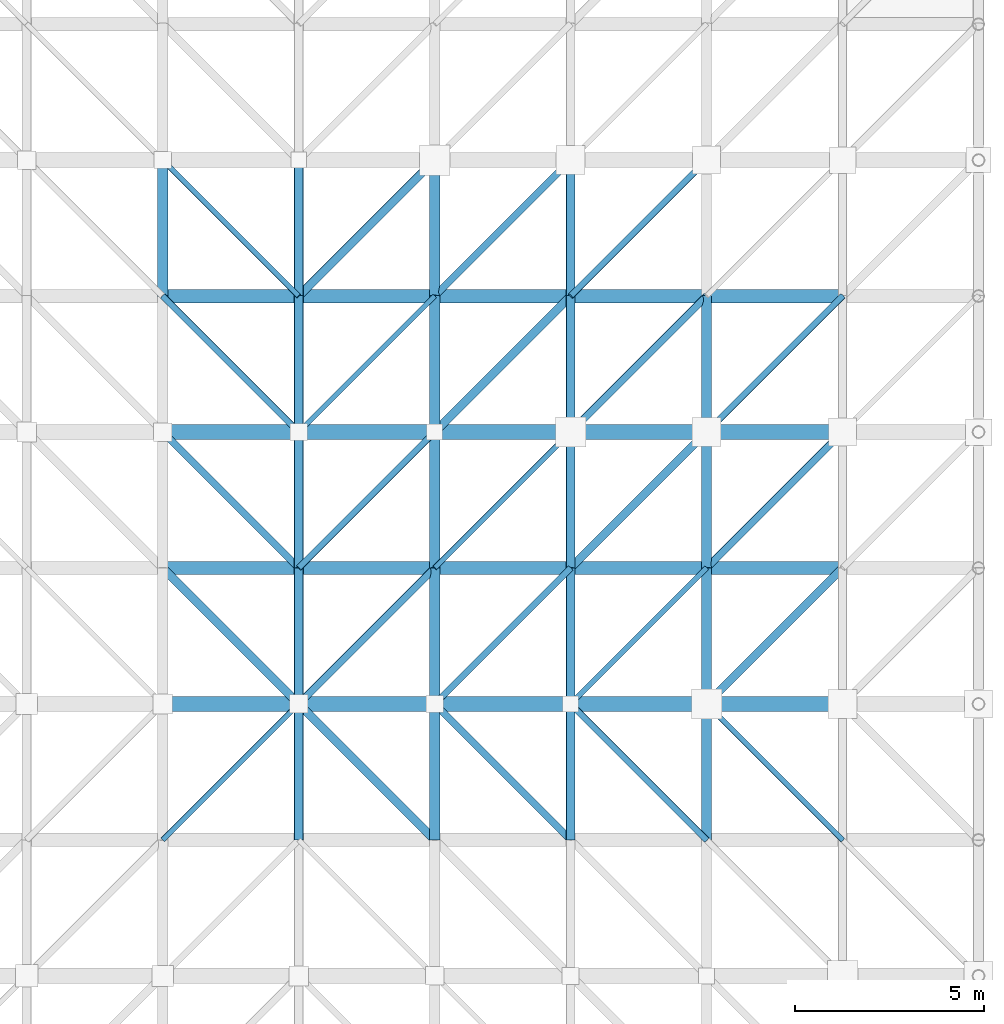
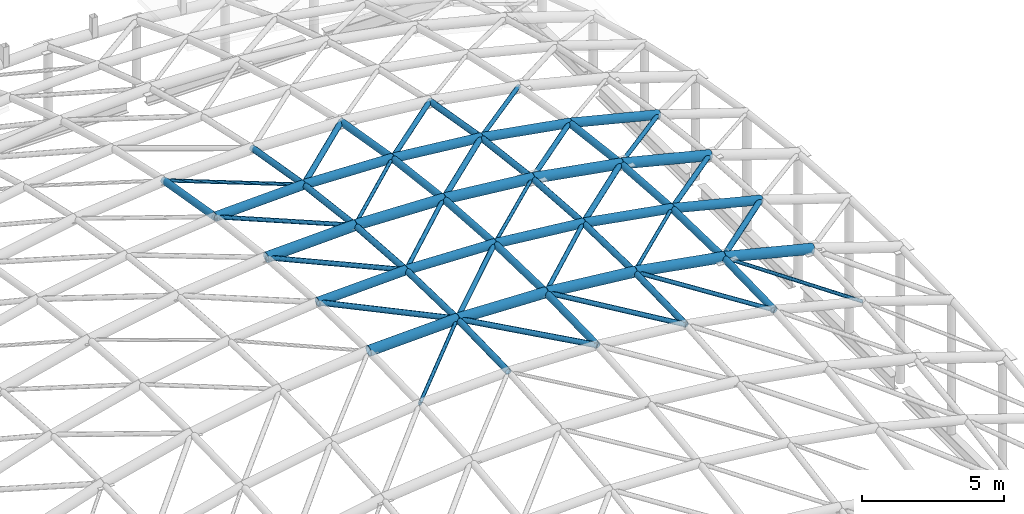
# One storey, part 7 of 40: 64 members.
"""IFC4 building model written with IfcOpenShell, lengths in metres."""

from ifc_helpers import new_model, si_unit, direction, frame, origin, origin_2d, place, context, subcontext, project, spatial, hollow_circle, extrude, material, material_profile, profile_set, type_object, element, save


model = new_model("IFC4")

# Units and contexts
model_context = context("Model", 3, precision=1e-05, world=origin(), true_north=direction((0.0, 1.0)))
body_context = subcontext(model_context, "Body", "Model", "MODEL_VIEW")
ifc_project = project(units=[si_unit("LENGTHUNIT", "METRE"), si_unit("AREAUNIT", "SQUARE_METRE"), si_unit("VOLUMEUNIT", "CUBIC_METRE"), si_unit("PLANEANGLEUNIT", "RADIAN"), si_unit("MASSUNIT", "GRAM", prefix="KILO")], contexts=[model_context])

# Site, building, storey
site_placement = place(None, origin())
site = spatial("IfcSite", under=ifc_project, at=site_placement, CompositionType="ELEMENT")
building_placement = place(site_placement, origin())
building = spatial("IfcBuilding", under=site, at=building_placement, Name="Kavelor Marine Aquarium", CompositionType="ELEMENT")
storey_placement = place(building_placement, frame((0.0, 0.0, 17.639892578125)))
storey = spatial("IfcBuildingStorey", under=building, at=storey_placement, Name="L04", CompositionType="ELEMENT", Elevation=17.639892578125)

# Members
ifc_material_1 = material(Name="Steel S355", Category="steel")
ifc_material_profile_1 = material_profile(ifc_material_1, hollow_circle(Radius=0.109619140625, WallThickness=0.0087890625, at=origin_2d()), Name="CHS 219.1x8.8")
ifc_profile_set_1 = profile_set([ifc_material_profile_1], Name="Steel S355")
member_type_1 = type_object("IfcMemberType", Name="GS-BR1", PredefinedType="BRACE", material=ifc_profile_set_1)
for number, where, z_axis, x_axis, name in (
    (1, (21.199951171875, 53.199951171875, 9.0), (-0.706472470701, 0.706520383381, -0.041540293801), (-0.707130757816, -0.707082803744, 0.0), "gs:diag:04_08"),
    (2, (24.800048828125, 49.60009765625, 8.788330078125), (-0.706520383381, 0.706472470701, 0.041540293801), (-0.707082803744, -0.707130757816, 0.0), "gs:diag:05_07"),
):
    element("IfcMember", number, at=place(storey_placement, frame(where, z_axis=z_axis, x_axis=x_axis)), inside=storey, type_object=member_type_1, Name=name, PredefinedType="BRACE", context=body_context, shape_type="SweptSolid", body=[
        extrude(hollow_circle(Radius=0.109619140625, WallThickness=0.0087890625, at=origin_2d()), origin(), (0.0, 0.0, 1.0), 5.095458984375),
    ])
member_1_placement = place(storey_placement, frame((21.199951171875, 64.0, 8.2138671875), z_axis=(0.699716053306, 0.699716053306, -0.144204332429), x_axis=(-0.707106781187, 0.707106781187, 0.0)))
element("IfcMember", 3, at=member_1_placement, inside=storey, type_object=member_type_1, Name="gs:diag:05_11", PredefinedType="BRACE", context=body_context, shape_type="SweptSolid", body=[
    extrude(hollow_circle(Radius=0.109619140625, WallThickness=0.0087890625, at=origin_2d()), origin(), (0.0, 0.0, 1.0), 5.14501953125),
])
member_2_placement = place(storey_placement, frame((24.800048828125, 60.39990234375, 8.52685546875), z_axis=(0.698220697886, 0.698268050934, -0.157827710143), x_axis=(-0.707130757816, 0.707082803744, 0.0)))
element("IfcMember", 4, at=member_2_placement, inside=storey, type_object=member_type_1, Name="gs:diag:06_10", PredefinedType="BRACE", context=body_context, shape_type="SweptSolid", body=[
    extrude(hollow_circle(Radius=0.109619140625, WallThickness=0.0087890625, at=origin_2d()), origin(), (0.0, 0.0, 1.0), 5.15576171875),
])
member_3_placement = place(storey_placement, frame((28.39990234375, 56.800048828125, 8.412353515625), z_axis=(0.696461956709, 0.696414726141, -0.173052801396), x_axis=(-0.707082803744, 0.707130757816, 0.0)))
element("IfcMember", 5, at=member_3_placement, inside=storey, type_object=member_type_1, Name="gs:diag:07_09", PredefinedType="BRACE", context=body_context, shape_type="SweptSolid", body=[
    extrude(hollow_circle(Radius=0.109619140625, WallThickness=0.0087890625, at=origin_2d()), origin(), (0.0, 0.0, 1.0), 5.169189453125),
])
member_4_placement = place(storey_placement, frame((32.0, 53.199951171875, 7.8662109375), z_axis=(0.694193716502, 0.694193716502, -0.190237136063), x_axis=(-0.707106781187, 0.707106781187, 0.0)))
element("IfcMember", 6, at=member_4_placement, inside=storey, type_object=member_type_1, Name="gs:diag:08_08", PredefinedType="BRACE", context=body_context, shape_type="SweptSolid", body=[
    extrude(hollow_circle(Radius=0.109619140625, WallThickness=0.0087890625, at=origin_2d()), origin(), (0.0, 0.0, 1.0), 5.18603515625),
])
ifc_material_2 = material(Name="Steel S355", Category="steel")
ifc_material_profile_2 = material_profile(ifc_material_2, hollow_circle(Radius=0.096923828125, WallThickness=0.008056640625, at=origin_2d()), Name="CHS 193.7x8.0")
ifc_profile_set_2 = profile_set([ifc_material_profile_2], Name="Steel S355")
member_type_2 = type_object("IfcMemberType", Name="GS-BR2", PredefinedType="BRACE", material=ifc_profile_set_2)
member_5_placement = place(storey_placement, frame((21.199951171875, 56.800048828125, 8.9130859375), z_axis=(-0.705080598445, 0.705080598445, -0.075648525381), x_axis=(-0.707106781187, -0.707106781187, 0.0)))
element("IfcMember", 7, at=member_5_placement, inside=storey, type_object=member_type_2, Name="gs:diag:04_09", PredefinedType="BRACE", context=body_context, shape_type="SweptSolid", body=[
    extrude(hollow_circle(Radius=0.096923828125, WallThickness=0.008056640625, at=origin_2d()), origin(), (0.0, 0.0, 1.0), 5.105712890625),
])
member_6_placement = place(storey_placement, frame((21.199951171875, 53.199951171875, 9.0), z_axis=(0.706496468783, 0.706496468783, -0.041538887728), x_axis=(-0.707106781187, 0.707106781187, 0.0)))
element("IfcMember", 8, at=member_6_placement, inside=storey, type_object=member_type_2, Name="gs:diag:05_08", PredefinedType="BRACE", context=body_context, shape_type="SweptSolid", body=[
    extrude(hollow_circle(Radius=0.096923828125, WallThickness=0.008056640625, at=origin_2d()), origin(), (0.0, 0.0, 1.0), 5.095703125),
])
member_7_placement = place(storey_placement, frame((28.39990234375, 49.60009765625, 8.412353515625), z_axis=(-0.70420189259, 0.70420189259, 0.090550477338), x_axis=(-0.707106781187, -0.707106781187, 0.0)))
element("IfcMember", 9, at=member_7_placement, inside=storey, type_object=member_type_2, Name="gs:diag:06_07", PredefinedType="BRACE", context=body_context, shape_type="SweptSolid", body=[
    extrude(hollow_circle(Radius=0.096923828125, WallThickness=0.008056640625, at=origin_2d()), origin(), (0.0, 0.0, 1.0), 5.112060546875),
])
member_8_placement = place(storey_placement, frame((24.800048828125, 64.0, 8.089111328125), z_axis=(0.693994705995, 0.694041772438, -0.19151335766), x_axis=(-0.707130757816, 0.707082803744, 0.0)))
element("IfcMember", 10, at=member_8_placement, inside=storey, type_object=member_type_2, Name="gs:diag:06_11", PredefinedType="BRACE", context=body_context, shape_type="SweptSolid", body=[
    extrude(hollow_circle(Radius=0.096923828125, WallThickness=0.008056640625, at=origin_2d()), origin(), (0.0, 0.0, 1.0), 5.187255859375),
])
member_9_placement = place(storey_placement, frame((28.39990234375, 60.39990234375, 8.15087890625), z_axis=(0.691968034363, 0.691968034363, -0.205816614588), x_axis=(-0.707106781187, 0.707106781187, 0.0)))
element("IfcMember", 11, at=member_9_placement, inside=storey, type_object=member_type_2, Name="gs:diag:07_10", PredefinedType="BRACE", context=body_context, shape_type="SweptSolid", body=[
    extrude(hollow_circle(Radius=0.096923828125, WallThickness=0.008056640625, at=origin_2d()), origin(), (0.0, 0.0, 1.0), 5.20263671875),
])
member_10_placement = place(storey_placement, frame((32.0, 56.800048828125, 7.779296875), z_axis=(0.689427514019, 0.689380760492, -0.222359775985), x_axis=(-0.707082803744, 0.707130757816, 0.0)))
element("IfcMember", 12, at=member_10_placement, inside=storey, type_object=member_type_2, Name="gs:diag:08_09", PredefinedType="BRACE", context=body_context, shape_type="SweptSolid", body=[
    extrude(hollow_circle(Radius=0.096923828125, WallThickness=0.008056640625, at=origin_2d()), origin(), (0.0, 0.0, 1.0), 5.221923828125),
])
ifc_material_3 = material(Name="Steel S355", Category="steel")
ifc_material_profile_3 = material_profile(ifc_material_3, hollow_circle(Radius=0.084228515625, WallThickness=0.007080078125, at=origin_2d()), Name="CHS 168.3x7.1")
ifc_profile_set_3 = profile_set([ifc_material_profile_3], Name="Steel S355")
member_type_3 = type_object("IfcMemberType", Name="GS-BR3", PredefinedType="BRACE", material=ifc_profile_set_3)
member_11_placement = place(storey_placement, frame((21.199951171875, 60.39990234375, 8.65185546875), z_axis=(-0.702802489461, 0.702850153244, -0.109865021242), x_axis=(-0.707130757816, -0.707082803744, 0.0)))
element("IfcMember", 13, at=member_11_placement, inside=storey, type_object=member_type_3, Name="gs:diag:04_10", PredefinedType="BRACE", context=body_context, shape_type="SweptSolid", body=[
    extrude(hollow_circle(Radius=0.084228515625, WallThickness=0.007080078125, at=origin_2d()), origin(), (0.0, 0.0, 1.0), 5.1220703125),
])
member_12_placement = place(storey_placement, frame((21.199951171875, 56.800048828125, 8.9130859375), z_axis=(0.705104643196, 0.705056826524, -0.075645974877), x_axis=(-0.707082803744, 0.707130757816, 0.0)))
element("IfcMember", 14, at=member_12_placement, inside=storey, type_object=member_type_3, Name="gs:diag:05_09", PredefinedType="BRACE", context=body_context, shape_type="SweptSolid", body=[
    extrude(hollow_circle(Radius=0.084228515625, WallThickness=0.007080078125, at=origin_2d()), origin(), (0.0, 0.0, 1.0), 5.105712890625),
])
member_13_placement = place(storey_placement, frame((24.800048828125, 53.199951171875, 8.875244140625), z_axis=(0.704178209432, 0.704225966517, -0.090547432017), x_axis=(-0.707130757816, 0.707082803744, 0.0)))
element("IfcMember", 15, at=member_13_placement, inside=storey, type_object=member_type_3, Name="gs:diag:06_08", PredefinedType="BRACE", context=body_context, shape_type="SweptSolid", body=[
    extrude(hollow_circle(Radius=0.084228515625, WallThickness=0.007080078125, at=origin_2d()), origin(), (0.0, 0.0, 1.0), 5.112060546875),
])
member_14_placement = place(storey_placement, frame((32.0, 49.60009765625, 7.779296875), z_axis=(-0.700164247937, 0.700116766298, 0.14002335326), x_axis=(-0.707082803744, -0.707130757816, 0.0)))
element("IfcMember", 16, at=member_14_placement, inside=storey, type_object=member_type_3, Name="gs:diag:07_07", PredefinedType="BRACE", context=body_context, shape_type="SweptSolid", body=[
    extrude(hollow_circle(Radius=0.084228515625, WallThickness=0.007080078125, at=origin_2d()), origin(), (0.0, 0.0, 1.0), 5.141845703125),
])
member_15_placement = place(storey_placement, frame((28.39990234375, 64.0, 7.713134765625), z_axis=(0.686705031493, 0.686705031493, -0.238479348045), x_axis=(-0.707106781187, 0.707106781187, 0.0)))
element("IfcMember", 17, at=member_15_placement, inside=storey, type_object=member_type_3, Name="gs:diag:07_11", PredefinedType="BRACE", context=body_context, shape_type="SweptSolid", body=[
    extrude(hollow_circle(Radius=0.084228515625, WallThickness=0.007080078125, at=origin_2d()), origin(), (0.0, 0.0, 1.0), 5.24267578125),
])
member_16_placement = place(storey_placement, frame((32.0, 60.39990234375, 7.517822265625), z_axis=(0.683904744673, 0.683904744673, -0.254064165965), x_axis=(-0.707106781187, 0.707106781187, 0.0)))
element("IfcMember", 18, at=member_16_placement, inside=storey, type_object=member_type_3, Name="gs:diag:08_10", PredefinedType="BRACE", context=body_context, shape_type="SweptSolid", body=[
    extrude(hollow_circle(Radius=0.084228515625, WallThickness=0.007080078125, at=origin_2d()), origin(), (0.0, 0.0, 1.0), 5.263916015625),
])
ifc_material_4 = material(Name="Steel S355", Category="steel")
ifc_material_profile_4 = material_profile(ifc_material_4, hollow_circle(Radius=0.06982421875, WallThickness=0.00634765625, at=origin_2d()), Name="CHS 139.7x6.3")
ifc_profile_set_4 = profile_set([ifc_material_profile_4], Name="Steel S355")
member_type_4 = type_object("IfcMemberType", Name="GS-BR4", PredefinedType="BRACE", material=ifc_profile_set_4)
member_17_placement = place(storey_placement, frame((17.60009765625, 49.60009765625, 8.788330078125), z_axis=(0.706496386105, 0.706496386105, 0.041541700017), x_axis=(-0.707106781187, 0.707106781187, 0.0)))
element("IfcMember", 19, at=member_17_placement, inside=storey, type_object=member_type_4, Name="gs:diag:04_07", PredefinedType="BRACE", context=body_context, shape_type="SweptSolid", body=[
    extrude(hollow_circle(Radius=0.06982421875, WallThickness=0.00634765625, at=origin_2d()), origin(), (0.0, 0.0, 1.0), 5.095458984375),
])
member_18_placement = place(storey_placement, frame((21.199951171875, 64.0, 8.2138671875), z_axis=(-0.699691833106, 0.699739285926, -0.144209120435), x_axis=(-0.707130757816, -0.707082803744, 0.0)))
element("IfcMember", 20, at=member_18_placement, inside=storey, type_object=member_type_4, Name="gs:diag:04_11", PredefinedType="BRACE", context=body_context, shape_type="SweptSolid", body=[
    extrude(hollow_circle(Radius=0.06982421875, WallThickness=0.00634765625, at=origin_2d()), origin(), (0.0, 0.0, 1.0), 5.14501953125),
])
member_19_placement = place(storey_placement, frame((21.199951171875, 60.39990234375, 8.65185546875), z_axis=(0.702826609396, 0.702826609396, -0.109861341018), x_axis=(-0.707106781187, 0.707106781187, 0.0)))
element("IfcMember", 21, at=member_19_placement, inside=storey, type_object=member_type_4, Name="gs:diag:05_10", PredefinedType="BRACE", context=body_context, shape_type="SweptSolid", body=[
    extrude(hollow_circle(Radius=0.06982421875, WallThickness=0.00634765625, at=origin_2d()), origin(), (0.0, 0.0, 1.0), 5.122314453125),
])
member_20_placement = place(storey_placement, frame((24.800048828125, 56.800048828125, 8.788330078125), z_axis=(0.701628064522, 0.701628064522, -0.124242175413), x_axis=(-0.707106781187, 0.707106781187, 0.0)))
element("IfcMember", 22, at=member_20_placement, inside=storey, type_object=member_type_4, Name="gs:diag:06_09", PredefinedType="BRACE", context=body_context, shape_type="SweptSolid", body=[
    extrude(hollow_circle(Radius=0.06982421875, WallThickness=0.00634765625, at=origin_2d()), origin(), (0.0, 0.0, 1.0), 5.130615234375),
])
member_21_placement = place(storey_placement, frame((28.39990234375, 53.199951171875, 8.499267578125), z_axis=(0.700140972965, 0.700140972965, -0.140018698581), x_axis=(-0.707106781187, 0.707106781187, 0.0)))
element("IfcMember", 23, at=member_21_placement, inside=storey, type_object=member_type_4, Name="gs:diag:07_08", PredefinedType="BRACE", context=body_context, shape_type="SweptSolid", body=[
    extrude(hollow_circle(Radius=0.06982421875, WallThickness=0.00634765625, at=origin_2d()), origin(), (0.0, 0.0, 1.0), 5.141845703125),
])
member_22_placement = place(storey_placement, frame((35.60009765625, 49.60009765625, 6.879638671875), z_axis=(-0.694216403361, 0.694169325075, 0.190243353179), x_axis=(-0.707082803744, -0.707130757816, 0.0)))
element("IfcMember", 24, at=member_22_placement, inside=storey, type_object=member_type_4, Name="gs:diag:08_07", PredefinedType="BRACE", context=body_context, shape_type="SweptSolid", body=[
    extrude(hollow_circle(Radius=0.06982421875, WallThickness=0.00634765625, at=origin_2d()), origin(), (0.0, 0.0, 1.0), 5.185791015625),
])
ifc_material_5 = material(Name="Steel S355", Category="steel")
ifc_material_profile_5 = material_profile(ifc_material_5, hollow_circle(Radius=0.203125, WallThickness=0.01611328125, at=origin_2d()), Name="CHS 406.4x16.0")
ifc_profile_set_5 = profile_set([ifc_material_profile_5], Name="Steel S355")
member_type_5 = type_object("IfcMemberType", Name="GS-CH1", PredefinedType="CHORD", material=ifc_profile_set_5)
member_23_placement = place(storey_placement, frame((17.60009765625, 53.199951171875, 8.875244140625), z_axis=(0.999400027608, 0.0, 0.034635022998), x_axis=(0.0, 1.0, 0.0)))
element("IfcMember", 25, at=member_23_placement, inside=storey, type_object=member_type_5, Name="gs:arch:04_08", PredefinedType="CHORD", context=body_context, shape_type="SweptSolid", body=[
    extrude(hollow_circle(Radius=0.203125, WallThickness=0.01611328125, at=origin_2d()), origin(), (0.0, 0.0, 1.0), 3.60205078125),
])
member_24_placement = place(storey_placement, frame((21.199951171875, 53.199951171875, 9.0), z_axis=(0.999400108906, 0.0, -0.034632677041), x_axis=(0.0, 1.0, 0.0)))
element("IfcMember", 26, at=member_24_placement, inside=storey, type_object=member_type_5, Name="gs:arch:05_08", PredefinedType="CHORD", context=body_context, shape_type="SweptSolid", body=[
    extrude(hollow_circle(Radius=0.203125, WallThickness=0.01611328125, at=origin_2d()), origin(), (0.0, 0.0, 1.0), 3.602294921875),
])
member_25_placement = place(storey_placement, frame((24.800048828125, 53.199951171875, 8.875244140625), z_axis=(0.994590133912, 0.0, -0.103877165563), x_axis=(0.0, 1.0, 0.0)))
element("IfcMember", 27, at=member_25_placement, inside=storey, type_object=member_type_5, Name="gs:arch:06_08", PredefinedType="CHORD", context=body_context, shape_type="SweptSolid", body=[
    extrude(hollow_circle(Radius=0.203125, WallThickness=0.01611328125, at=origin_2d()), origin(), (0.0, 0.0, 1.0), 3.619384765625),
])
member_26_placement = place(storey_placement, frame((28.39990234375, 53.199951171875, 8.499267578125), z_axis=(0.984888941579, 0.0, -0.173187103317), x_axis=(0.0, 1.0, 0.0)))
element("IfcMember", 28, at=member_26_placement, inside=storey, type_object=member_type_5, Name="gs:arch:07_08", PredefinedType="CHORD", context=body_context, shape_type="SweptSolid", body=[
    extrude(hollow_circle(Radius=0.203125, WallThickness=0.01611328125, at=origin_2d()), origin(), (0.0, 0.0, 1.0), 3.6552734375),
])
member_27_placement = place(storey_placement, frame((32.0, 53.199951171875, 7.8662109375), z_axis=(0.97016571633, 0.0, -0.2424427414), x_axis=(0.0, 1.0, 0.0)))
element("IfcMember", 29, at=member_27_placement, inside=storey, type_object=member_type_5, Name="gs:arch:08_08", PredefinedType="CHORD", context=body_context, shape_type="SweptSolid", body=[
    extrude(hollow_circle(Radius=0.203125, WallThickness=0.01611328125, at=origin_2d()), origin(), (0.0, 0.0, 1.0), 3.710693359375),
])
member_28_placement = place(storey_placement, frame((17.60009765625, 60.39990234375, 8.52685546875), z_axis=(0.999397679205, 0.0, 0.034702720363), x_axis=(0.0, 1.0, 0.0)))
element("IfcMember", 30, at=member_28_placement, inside=storey, type_object=member_type_5, Name="gs:arch:04_10", PredefinedType="CHORD", context=body_context, shape_type="SweptSolid", body=[
    extrude(hollow_circle(Radius=0.203125, WallThickness=0.01611328125, at=origin_2d()), origin(), (0.0, 0.0, 1.0), 3.60205078125),
])
member_29_placement = place(storey_placement, frame((21.199951171875, 60.39990234375, 8.65185546875), z_axis=(0.999397760821, 0.0, -0.034700369832), x_axis=(0.0, 1.0, 0.0)))
element("IfcMember", 31, at=member_29_placement, inside=storey, type_object=member_type_5, Name="gs:arch:05_10", PredefinedType="CHORD", context=body_context, shape_type="SweptSolid", body=[
    extrude(hollow_circle(Radius=0.203125, WallThickness=0.01611328125, at=origin_2d()), origin(), (0.0, 0.0, 1.0), 3.602294921875),
])
member_30_placement = place(storey_placement, frame((24.800048828125, 60.39990234375, 8.52685546875), z_axis=(0.994590133912, 0.0, -0.103877165563), x_axis=(0.0, 1.0, 0.0)))
element("IfcMember", 32, at=member_30_placement, inside=storey, type_object=member_type_5, Name="gs:arch:06_10", PredefinedType="CHORD", context=body_context, shape_type="SweptSolid", body=[
    extrude(hollow_circle(Radius=0.203125, WallThickness=0.01611328125, at=origin_2d()), origin(), (0.0, 0.0, 1.0), 3.619384765625),
])
member_31_placement = place(storey_placement, frame((28.39990234375, 60.39990234375, 8.15087890625), z_axis=(0.984888941579, 0.0, -0.173187103317), x_axis=(0.0, 1.0, 0.0)))
element("IfcMember", 33, at=member_31_placement, inside=storey, type_object=member_type_5, Name="gs:arch:07_10", PredefinedType="CHORD", context=body_context, shape_type="SweptSolid", body=[
    extrude(hollow_circle(Radius=0.203125, WallThickness=0.01611328125, at=origin_2d()), origin(), (0.0, 0.0, 1.0), 3.6552734375),
])
member_32_placement = place(storey_placement, frame((32.0, 60.39990234375, 7.517822265625), z_axis=(0.97016571633, 0.0, -0.2424427414), x_axis=(0.0, 1.0, 0.0)))
element("IfcMember", 34, at=member_32_placement, inside=storey, type_object=member_type_5, Name="gs:arch:08_10", PredefinedType="CHORD", context=body_context, shape_type="SweptSolid", body=[
    extrude(hollow_circle(Radius=0.203125, WallThickness=0.01611328125, at=origin_2d()), origin(), (0.0, 0.0, 1.0), 3.710693359375),
])
ifc_material_6 = material(Name="Steel S355", Category="steel")
ifc_material_profile_6 = material_profile(ifc_material_6, hollow_circle(Radius=0.177734375, WallThickness=0.01416015625, at=origin_2d()), Name="CHS 355.6x14.2")
ifc_profile_set_6 = profile_set([ifc_material_profile_6], Name="Steel S355")
member_type_6 = type_object("IfcMemberType", Name="GS-CH2", PredefinedType="CHORD", material=ifc_profile_set_6)
member_33_placement = place(storey_placement, frame((17.60009765625, 56.800048828125, 8.788330078125), z_axis=(0.999400027608, 0.0, 0.034635022998), x_axis=(0.0, 1.0, 0.0)))
element("IfcMember", 35, at=member_33_placement, inside=storey, type_object=member_type_6, Name="gs:arch:04_09", PredefinedType="CHORD", context=body_context, shape_type="SweptSolid", body=[
    extrude(hollow_circle(Radius=0.177734375, WallThickness=0.01416015625, at=origin_2d()), origin(), (0.0, 0.0, 1.0), 3.60205078125),
])
member_34_placement = place(storey_placement, frame((21.199951171875, 56.800048828125, 8.9130859375), z_axis=(0.999400108906, 0.0, -0.034632677041), x_axis=(0.0, 1.0, 0.0)))
element("IfcMember", 36, at=member_34_placement, inside=storey, type_object=member_type_6, Name="gs:arch:05_09", PredefinedType="CHORD", context=body_context, shape_type="SweptSolid", body=[
    extrude(hollow_circle(Radius=0.177734375, WallThickness=0.01416015625, at=origin_2d()), origin(), (0.0, 0.0, 1.0), 3.602294921875),
])
member_35_placement = place(storey_placement, frame((24.800048828125, 56.800048828125, 8.788330078125), z_axis=(0.994590133912, 0.0, -0.103877165563), x_axis=(0.0, 1.0, 0.0)))
element("IfcMember", 37, at=member_35_placement, inside=storey, type_object=member_type_6, Name="gs:arch:06_09", PredefinedType="CHORD", context=body_context, shape_type="SweptSolid", body=[
    extrude(hollow_circle(Radius=0.177734375, WallThickness=0.01416015625, at=origin_2d()), origin(), (0.0, 0.0, 1.0), 3.619384765625),
])
member_36_placement = place(storey_placement, frame((28.39990234375, 56.800048828125, 8.412353515625), z_axis=(0.984888941579, 0.0, -0.173187103317), x_axis=(0.0, 1.0, 0.0)))
element("IfcMember", 38, at=member_36_placement, inside=storey, type_object=member_type_6, Name="gs:arch:07_09", PredefinedType="CHORD", context=body_context, shape_type="SweptSolid", body=[
    extrude(hollow_circle(Radius=0.177734375, WallThickness=0.01416015625, at=origin_2d()), origin(), (0.0, 0.0, 1.0), 3.6552734375),
])
member_37_placement = place(storey_placement, frame((32.0, 56.800048828125, 7.779296875), z_axis=(0.97016571633, 0.0, -0.2424427414), x_axis=(0.0, 1.0, 0.0)))
element("IfcMember", 39, at=member_37_placement, inside=storey, type_object=member_type_6, Name="gs:arch:08_09", PredefinedType="CHORD", context=body_context, shape_type="SweptSolid", body=[
    extrude(hollow_circle(Radius=0.177734375, WallThickness=0.01416015625, at=origin_2d()), origin(), (0.0, 0.0, 1.0), 3.710693359375),
])
member_38_placement = place(storey_placement, frame((17.60009765625, 64.0, 8.089111328125), z_axis=(0.999400027608, 0.0, 0.034635022998), x_axis=(0.0, 1.0, 0.0)))
element("IfcMember", 40, at=member_38_placement, inside=storey, type_object=member_type_6, Name="gs:arch:04_11", PredefinedType="CHORD", context=body_context, shape_type="SweptSolid", body=[
    extrude(hollow_circle(Radius=0.177734375, WallThickness=0.01416015625, at=origin_2d()), origin(), (0.0, 0.0, 1.0), 3.60205078125),
])
member_39_placement = place(storey_placement, frame((21.199951171875, 64.0, 8.2138671875), z_axis=(0.999400108906, 0.0, -0.034632677041), x_axis=(0.0, 1.0, 0.0)))
element("IfcMember", 41, at=member_39_placement, inside=storey, type_object=member_type_6, Name="gs:arch:05_11", PredefinedType="CHORD", context=body_context, shape_type="SweptSolid", body=[
    extrude(hollow_circle(Radius=0.177734375, WallThickness=0.01416015625, at=origin_2d()), origin(), (0.0, 0.0, 1.0), 3.602294921875),
])
member_40_placement = place(storey_placement, frame((24.800048828125, 64.0, 8.089111328125), z_axis=(0.994590133912, 0.0, -0.103877165563), x_axis=(0.0, 1.0, 0.0)))
element("IfcMember", 42, at=member_40_placement, inside=storey, type_object=member_type_6, Name="gs:arch:06_11", PredefinedType="CHORD", context=body_context, shape_type="SweptSolid", body=[
    extrude(hollow_circle(Radius=0.177734375, WallThickness=0.01416015625, at=origin_2d()), origin(), (0.0, 0.0, 1.0), 3.619384765625),
])
member_41_placement = place(storey_placement, frame((28.39990234375, 64.0, 7.713134765625), z_axis=(0.984888941579, 0.0, -0.173187103317), x_axis=(0.0, 1.0, 0.0)))
element("IfcMember", 43, at=member_41_placement, inside=storey, type_object=member_type_6, Name="gs:arch:07_11", PredefinedType="CHORD", context=body_context, shape_type="SweptSolid", body=[
    extrude(hollow_circle(Radius=0.177734375, WallThickness=0.01416015625, at=origin_2d()), origin(), (0.0, 0.0, 1.0), 3.6552734375),
])
member_42_placement = place(storey_placement, frame((32.0, 64.0, 7.080078125), z_axis=(0.97016571633, 0.0, -0.2424427414), x_axis=(0.0, 1.0, 0.0)))
element("IfcMember", 44, at=member_42_placement, inside=storey, type_object=member_type_6, Name="gs:arch:08_11", PredefinedType="CHORD", context=body_context, shape_type="SweptSolid", body=[
    extrude(hollow_circle(Radius=0.177734375, WallThickness=0.01416015625, at=origin_2d()), origin(), (0.0, 0.0, 1.0), 3.710693359375),
])
ifc_material_7 = material(Name="Steel S355", Category="steel")
ifc_material_profile_7 = material_profile(ifc_material_7, hollow_circle(Radius=0.136474609375, WallThickness=0.010009765625, at=origin_2d()), Name="CHS 273.0x10.0")
ifc_profile_set_7 = profile_set([ifc_material_profile_7], Name="Steel S355")
member_type_7 = type_object("IfcMemberType", Name="GS-CH4", PredefinedType="CHORD", material=ifc_profile_set_7)
member_43_placement = place(storey_placement, frame((17.60009765625, 64.0, 8.089111328125), z_axis=(0.0, 0.985620982654, -0.168971235871), x_axis=(-1.0, 0.0, 0.0)))
element("IfcMember", 45, at=member_43_placement, inside=storey, type_object=member_type_7, Name="gs:long:04_11", PredefinedType="CHORD", context=body_context, shape_type="SweptSolid", body=[
    extrude(hollow_circle(Radius=0.136474609375, WallThickness=0.010009765625, at=origin_2d()), origin(), (0.0, 0.0, 1.0), 3.652587890625),
])
member_44_placement = place(storey_placement, frame((24.800048828125, 49.60009765625, 8.788330078125), z_axis=(0.0, 0.999708666365, 0.024136743657), x_axis=(-1.0, 0.0, 0.0)))
element("IfcMember", 46, at=member_44_placement, inside=storey, type_object=member_type_7, Name="gs:long:06_07", PredefinedType="CHORD", context=body_context, shape_type="SweptSolid", body=[
    extrude(hollow_circle(Radius=0.136474609375, WallThickness=0.010009765625, at=origin_2d()), origin(), (0.0, 0.0, 1.0), 3.600830078125),
])
member_45_placement = place(storey_placement, frame((24.800048828125, 53.199951171875, 8.875244140625), z_axis=(0.0, 0.99970870586, -0.024135107777), x_axis=(-1.0, 0.0, 0.0)))
element("IfcMember", 47, at=member_45_placement, inside=storey, type_object=member_type_7, Name="gs:long:06_08", PredefinedType="CHORD", context=body_context, shape_type="SweptSolid", body=[
    extrude(hollow_circle(Radius=0.136474609375, WallThickness=0.010009765625, at=origin_2d()), origin(), (0.0, 0.0, 1.0), 3.60107421875),
])
member_46_placement = place(storey_placement, frame((24.800048828125, 56.800048828125, 8.788330078125), z_axis=(0.0, 0.997372485682, -0.0724439425), x_axis=(-1.0, 0.0, 0.0)))
element("IfcMember", 48, at=member_46_placement, inside=storey, type_object=member_type_7, Name="gs:long:06_09", PredefinedType="CHORD", context=body_context, shape_type="SweptSolid", body=[
    extrude(hollow_circle(Radius=0.136474609375, WallThickness=0.010009765625, at=origin_2d()), origin(), (0.0, 0.0, 1.0), 3.609375),
])
member_47_placement = place(storey_placement, frame((24.800048828125, 60.39990234375, 8.52685546875), z_axis=(0.0, 0.992688629833, -0.120703289929), x_axis=(-1.0, 0.0, 0.0)))
element("IfcMember", 49, at=member_47_placement, inside=storey, type_object=member_type_7, Name="gs:long:06_10", PredefinedType="CHORD", context=body_context, shape_type="SweptSolid", body=[
    extrude(hollow_circle(Radius=0.136474609375, WallThickness=0.010009765625, at=origin_2d()), origin(), (0.0, 0.0, 1.0), 3.626708984375),
])
member_48_placement = place(storey_placement, frame((24.800048828125, 64.0, 8.089111328125), z_axis=(0.0, 0.985620982654, -0.168971235871), x_axis=(-1.0, 0.0, 0.0)))
element("IfcMember", 50, at=member_48_placement, inside=storey, type_object=member_type_7, Name="gs:long:06_11", PredefinedType="CHORD", context=body_context, shape_type="SweptSolid", body=[
    extrude(hollow_circle(Radius=0.136474609375, WallThickness=0.010009765625, at=origin_2d()), origin(), (0.0, 0.0, 1.0), 3.652587890625),
])
member_49_placement = place(storey_placement, frame((32.0, 49.60009765625, 7.779296875), z_axis=(0.0, 0.999708666365, 0.024136743657), x_axis=(-1.0, 0.0, 0.0)))
element("IfcMember", 51, at=member_49_placement, inside=storey, type_object=member_type_7, Name="gs:long:08_07", PredefinedType="CHORD", context=body_context, shape_type="SweptSolid", body=[
    extrude(hollow_circle(Radius=0.136474609375, WallThickness=0.010009765625, at=origin_2d()), origin(), (0.0, 0.0, 1.0), 3.600830078125),
])
member_50_placement = place(storey_placement, frame((32.0, 53.199951171875, 7.8662109375), z_axis=(0.0, 0.99970870586, -0.024135107777), x_axis=(-1.0, 0.0, 0.0)))
element("IfcMember", 52, at=member_50_placement, inside=storey, type_object=member_type_7, Name="gs:long:08_08", PredefinedType="CHORD", context=body_context, shape_type="SweptSolid", body=[
    extrude(hollow_circle(Radius=0.136474609375, WallThickness=0.010009765625, at=origin_2d()), origin(), (0.0, 0.0, 1.0), 3.60107421875),
])
member_51_placement = place(storey_placement, frame((32.0, 56.800048828125, 7.779296875), z_axis=(0.0, 0.997372485682, -0.0724439425), x_axis=(-1.0, 0.0, 0.0)))
element("IfcMember", 53, at=member_51_placement, inside=storey, type_object=member_type_7, Name="gs:long:08_09", PredefinedType="CHORD", context=body_context, shape_type="SweptSolid", body=[
    extrude(hollow_circle(Radius=0.136474609375, WallThickness=0.010009765625, at=origin_2d()), origin(), (0.0, 0.0, 1.0), 3.609375),
])
member_52_placement = place(storey_placement, frame((32.0, 60.39990234375, 7.517822265625), z_axis=(0.0, 0.992688629833, -0.120703289929), x_axis=(-1.0, 0.0, 0.0)))
element("IfcMember", 54, at=member_52_placement, inside=storey, type_object=member_type_7, Name="gs:long:08_10", PredefinedType="CHORD", context=body_context, shape_type="SweptSolid", body=[
    extrude(hollow_circle(Radius=0.136474609375, WallThickness=0.010009765625, at=origin_2d()), origin(), (0.0, 0.0, 1.0), 3.626708984375),
])
ifc_material_8 = material(Name="Steel S355", Category="steel")
ifc_material_profile_8 = material_profile(ifc_material_8, hollow_circle(Radius=0.122314453125, WallThickness=0.010009765625, at=origin_2d()), Name="CHS 244.5x10.0")
ifc_profile_set_8 = profile_set([ifc_material_profile_8], Name="Steel S355")
member_type_8 = type_object("IfcMemberType", Name="GS-CH5", PredefinedType="CHORD", material=ifc_profile_set_8)
member_53_placement = place(storey_placement, frame((21.199951171875, 49.60009765625, 8.9130859375), z_axis=(0.0, 0.999708666365, 0.024136743657), x_axis=(-1.0, 0.0, 0.0)))
element("IfcMember", 55, at=member_53_placement, inside=storey, type_object=member_type_8, Name="gs:long:05_07", PredefinedType="CHORD", context=body_context, shape_type="SweptSolid", body=[
    extrude(hollow_circle(Radius=0.122314453125, WallThickness=0.010009765625, at=origin_2d()), origin(), (0.0, 0.0, 1.0), 3.600830078125),
])
member_54_placement = place(storey_placement, frame((21.199951171875, 53.199951171875, 9.0), z_axis=(0.0, 0.99970870586, -0.024135107777), x_axis=(-1.0, 0.0, 0.0)))
element("IfcMember", 56, at=member_54_placement, inside=storey, type_object=member_type_8, Name="gs:long:05_08", PredefinedType="CHORD", context=body_context, shape_type="SweptSolid", body=[
    extrude(hollow_circle(Radius=0.122314453125, WallThickness=0.010009765625, at=origin_2d()), origin(), (0.0, 0.0, 1.0), 3.60107421875),
])
member_55_placement = place(storey_placement, frame((21.199951171875, 56.800048828125, 8.9130859375), z_axis=(0.0, 0.997377370771, -0.072376655593), x_axis=(-1.0, 0.0, 0.0)))
element("IfcMember", 57, at=member_55_placement, inside=storey, type_object=member_type_8, Name="gs:long:05_09", PredefinedType="CHORD", context=body_context, shape_type="SweptSolid", body=[
    extrude(hollow_circle(Radius=0.122314453125, WallThickness=0.010009765625, at=origin_2d()), origin(), (0.0, 0.0, 1.0), 3.609375),
])
member_56_placement = place(storey_placement, frame((21.199951171875, 60.39990234375, 8.65185546875), z_axis=(0.0, 0.992680561445, -0.120769627508), x_axis=(-1.0, 0.0, 0.0)))
element("IfcMember", 58, at=member_56_placement, inside=storey, type_object=member_type_8, Name="gs:long:05_10", PredefinedType="CHORD", context=body_context, shape_type="SweptSolid", body=[
    extrude(hollow_circle(Radius=0.122314453125, WallThickness=0.010009765625, at=origin_2d()), origin(), (0.0, 0.0, 1.0), 3.626708984375),
])
member_57_placement = place(storey_placement, frame((21.199951171875, 64.0, 8.2138671875), z_axis=(0.0, 0.985620982654, -0.168971235871), x_axis=(-1.0, 0.0, 0.0)))
element("IfcMember", 59, at=member_57_placement, inside=storey, type_object=member_type_8, Name="gs:long:05_11", PredefinedType="CHORD", context=body_context, shape_type="SweptSolid", body=[
    extrude(hollow_circle(Radius=0.122314453125, WallThickness=0.010009765625, at=origin_2d()), origin(), (0.0, 0.0, 1.0), 3.652587890625),
])
member_58_placement = place(storey_placement, frame((28.39990234375, 49.60009765625, 8.412353515625), z_axis=(0.0, 0.999708666365, 0.024136743657), x_axis=(-1.0, 0.0, 0.0)))
element("IfcMember", 60, at=member_58_placement, inside=storey, type_object=member_type_8, Name="gs:long:07_07", PredefinedType="CHORD", context=body_context, shape_type="SweptSolid", body=[
    extrude(hollow_circle(Radius=0.122314453125, WallThickness=0.010009765625, at=origin_2d()), origin(), (0.0, 0.0, 1.0), 3.600830078125),
])
member_59_placement = place(storey_placement, frame((28.39990234375, 53.199951171875, 8.499267578125), z_axis=(0.0, 0.99970870586, -0.024135107777), x_axis=(-1.0, 0.0, 0.0)))
element("IfcMember", 61, at=member_59_placement, inside=storey, type_object=member_type_8, Name="gs:long:07_08", PredefinedType="CHORD", context=body_context, shape_type="SweptSolid", body=[
    extrude(hollow_circle(Radius=0.122314453125, WallThickness=0.010009765625, at=origin_2d()), origin(), (0.0, 0.0, 1.0), 3.60107421875),
])
member_60_placement = place(storey_placement, frame((28.39990234375, 56.800048828125, 8.412353515625), z_axis=(0.0, 0.997372485682, -0.0724439425), x_axis=(-1.0, 0.0, 0.0)))
element("IfcMember", 62, at=member_60_placement, inside=storey, type_object=member_type_8, Name="gs:long:07_09", PredefinedType="CHORD", context=body_context, shape_type="SweptSolid", body=[
    extrude(hollow_circle(Radius=0.122314453125, WallThickness=0.010009765625, at=origin_2d()), origin(), (0.0, 0.0, 1.0), 3.609375),
])
member_61_placement = place(storey_placement, frame((28.39990234375, 60.39990234375, 8.15087890625), z_axis=(0.0, 0.992688629833, -0.120703289929), x_axis=(-1.0, 0.0, 0.0)))
element("IfcMember", 63, at=member_61_placement, inside=storey, type_object=member_type_8, Name="gs:long:07_10", PredefinedType="CHORD", context=body_context, shape_type="SweptSolid", body=[
    extrude(hollow_circle(Radius=0.122314453125, WallThickness=0.010009765625, at=origin_2d()), origin(), (0.0, 0.0, 1.0), 3.626708984375),
])
member_62_placement = place(storey_placement, frame((28.39990234375, 64.0, 7.713134765625), z_axis=(0.0, 0.98560984902, -0.169036166294), x_axis=(-1.0, 0.0, 0.0)))
element("IfcMember", 64, at=member_62_placement, inside=storey, type_object=member_type_8, Name="gs:long:07_11", PredefinedType="CHORD", context=body_context, shape_type="SweptSolid", body=[
    extrude(hollow_circle(Radius=0.122314453125, WallThickness=0.010009765625, at=origin_2d()), origin(), (0.0, 0.0, 1.0), 3.652587890625),
])

save(model, "model.ifc")
